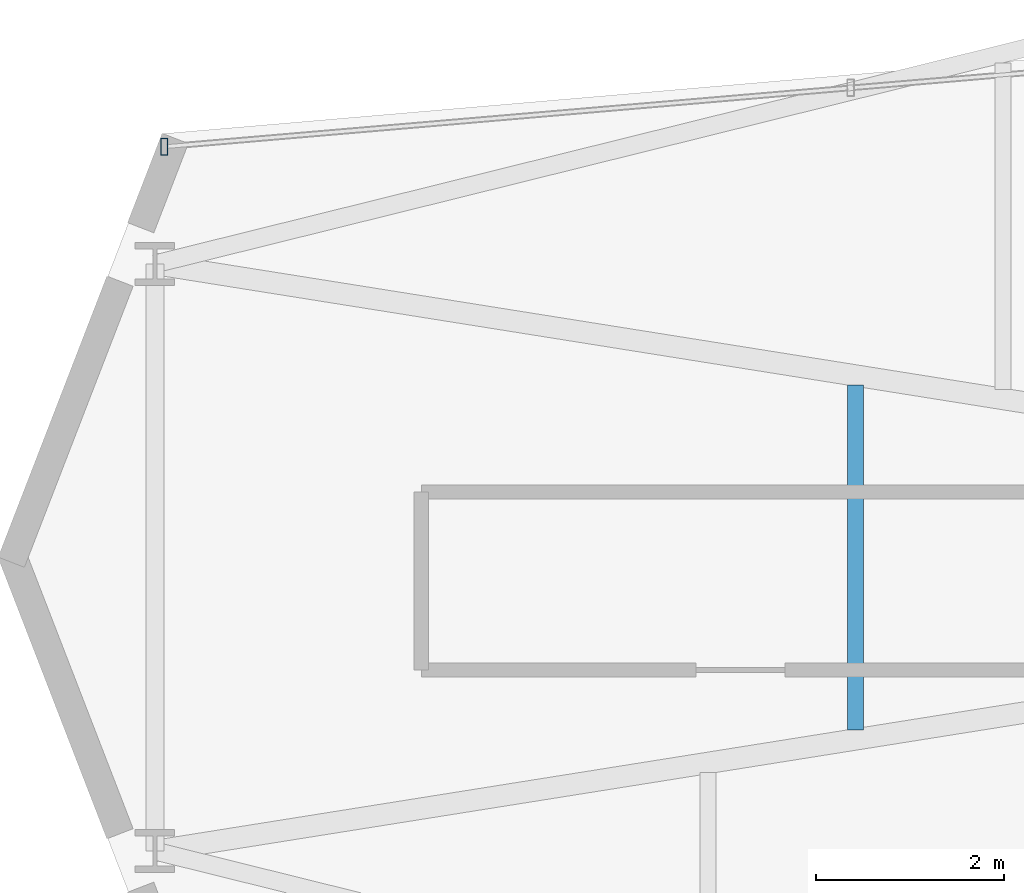
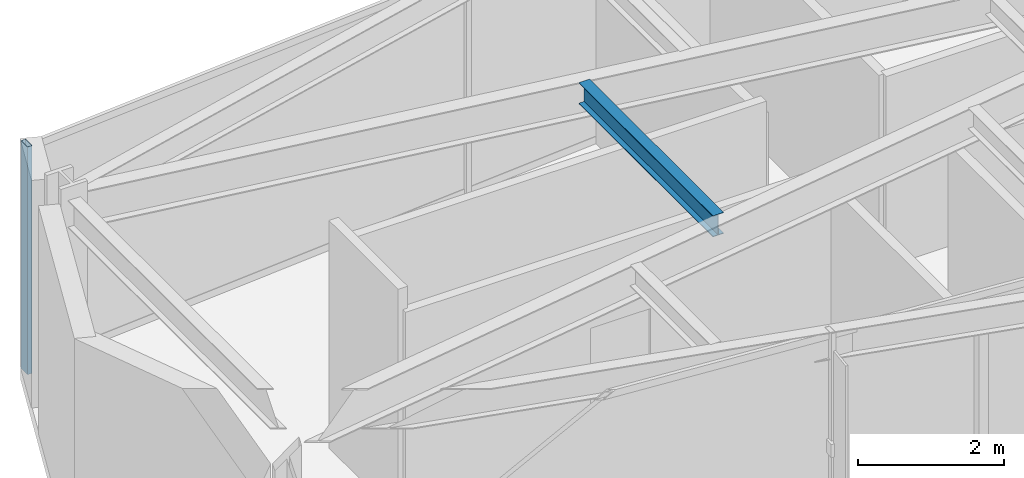
# One storey, part 7 of 26: 1 beam, 1 member, 1 element without a shape of its own.
"""IFC4 building model written with IfcOpenShell, lengths in metres."""

from ifc_helpers import new_model, si_unit, direction, frame, origin, origin_2d, place, context, subcontext, project, spatial, hollow_rectangle, i_section, extrude, material, layer, layer_set, material_profile, profile_set, type_object, element, aggregate, save


model = new_model("IFC4")

# Units and contexts
model_context = context("Model", 3, precision=1e-05, world=origin(), true_north=direction((0.0, 1.0)))
body_context = subcontext(model_context, "Body", "Model", "MODEL_VIEW")
ifc_project = project(units=[si_unit("LENGTHUNIT", "METRE"), si_unit("AREAUNIT", "SQUARE_METRE"), si_unit("VOLUMEUNIT", "CUBIC_METRE"), si_unit("PLANEANGLEUNIT", "RADIAN"), si_unit("MASSUNIT", "GRAM", prefix="KILO")], contexts=[model_context])

# Site, building, storey
site_placement = place(None, origin())
site = spatial("IfcSite", under=ifc_project, at=site_placement, CompositionType="ELEMENT")
building_placement = place(site_placement, origin())
building = spatial("IfcBuilding", under=site, at=building_placement, Name="Veymaron Broadcast Tower", CompositionType="ELEMENT")
storey_placement = place(building_placement, frame((0.0, 0.0, 153.300048828125)))
storey = spatial("IfcBuildingStorey", under=building, at=storey_placement, Name="L35", CompositionType="ELEMENT", Elevation=153.300048828125)

# Beam
ifc_material_1 = material(Name="Structural steel ASTM A992 Gr 50", Category="steel")
ifc_material_profile_1 = material_profile(ifc_material_1, i_section(OverallWidth=0.1708984375, OverallDepth=0.35498046875, WebThickness=0.007080078125, FlangeThickness=0.01171875, at=origin_2d()), Name="W360X51")
ifc_profile_set_1 = profile_set([ifc_material_profile_1], Name="Structural steel ASTM A992 Gr 50")
beam_type = type_object("IfcBeamType", Name="BM-JS2", PredefinedType="JOIST", material=ifc_profile_set_1)
beam_placement = place(storey_placement, frame((19.019287109375, 22.16064453125, 3.632568359375), z_axis=(0.0, 1.0, 0.0), x_axis=(-1.0, 0.0, 0.0)))
element("IfcBeam", 1, at=beam_placement, inside=storey, type_object=beam_type, Name="L35 Arm-A secondary joist 1M", PredefinedType="JOIST", context=body_context, shape_type="SweptSolid", body=[
    extrude(i_section(OverallWidth=0.1708984375, OverallDepth=0.35498046875, WebThickness=0.007080078125, FlangeThickness=0.01171875, at=origin_2d()), origin(), (0.0, 0.0, 1.0), 3.6787109375),
])

# Curtain wall, member
ifc_material_2 = material(Name="Anodised aluminium AA 6063-T6 and laminated low-E dark glass", Category="aluminium")
ifc_layer = layer(ifc_material_2, 0.179931640625)
ifc_layer_set = layer_set([ifc_layer], Name="Anodised aluminium AA 6063-T6 and laminated low-E dark glass")
curtain_wall_type = type_object("IfcCurtainWallType", Name="CW-SYS-03", PredefinedType="NOTDEFINED", material=ifc_layer_set)
curtain_wall_placement = place(storey_placement, origin())
curtain_wall = element("IfcCurtainWall", 2, at=curtain_wall_placement, inside=storey, type_object=curtain_wall_type, Name="L35 dark-glass curtain wall CW-L35-E11-1", PredefinedType="NOTDEFINED")
ifc_material_3 = material(Name="Anodised aluminium AA 6063-T6", Category="aluminium")
ifc_material_profile_2 = material_profile(ifc_material_3, hollow_rectangle(XDim=0.074951171875, YDim=0.179931640625, WallThickness=0.0048828125, at=origin_2d()), Name="AL180X75X5")
ifc_profile_set_2 = profile_set([ifc_material_profile_2], Name="Anodised aluminium AA 6063-T6")
member_type = type_object("IfcMemberType", Name="CW-MUL-02", PredefinedType="MULLION", material=ifc_profile_set_2)
member_placement = place(storey_placement, frame((11.652099609375, 28.37646484375, 0.0), z_axis=(0.0, 0.0, 1.0), x_axis=(1.0, 0.0, 0.0)))
member = element("IfcMember", 3, at=member_placement, type_object=member_type, Name="CW-L35-E11-1 mullion 2", PredefinedType="MULLION", context=body_context, shape_type="SweptSolid", body=[
    extrude(hollow_rectangle(XDim=0.074951171875, YDim=0.179931640625, WallThickness=0.0048828125, at=origin_2d()), origin(), (0.0, 0.0, 1.0), 3.81005859375),
])
aggregate(curtain_wall, [member])

save(model, "model.ifc")
